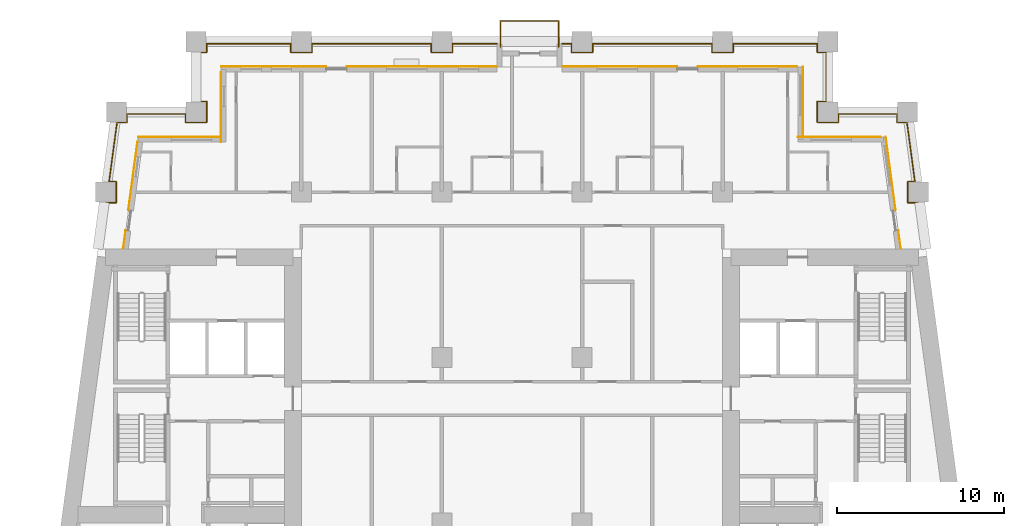
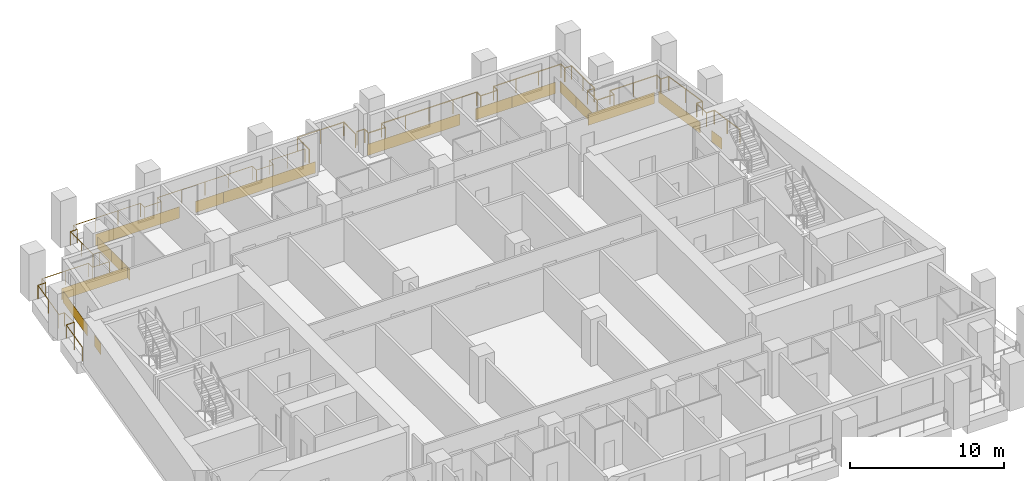
# One storey, part 13 of 14: 16 coverings, 3 railings.
"""IFC4 building model written with IfcOpenShell, lengths in metres."""

from ifc_helpers import new_model, si_unit, direction, frame, origin, origin_2d, place, context, subcontext, project, spatial, rectangle, circle, extrude, material, layer, layer_set, type_object, element, save


model = new_model("IFC4")

# Units and contexts
model_context = context("Model", 3, precision=1e-05, world=origin(), true_north=direction((0.0, 1.0)))
body_context = subcontext(model_context, "Body", "Model", "MODEL_VIEW")
ifc_project = project(units=[si_unit("LENGTHUNIT", "METRE"), si_unit("AREAUNIT", "SQUARE_METRE"), si_unit("VOLUMEUNIT", "CUBIC_METRE"), si_unit("PLANEANGLEUNIT", "RADIAN"), si_unit("MASSUNIT", "GRAM", prefix="KILO")], contexts=[model_context])

# Site, building, storey
site_placement = place(None, origin())
site = spatial("IfcSite", under=ifc_project, at=site_placement, CompositionType="ELEMENT")
building_placement = place(site_placement, origin())
building = spatial("IfcBuilding", under=site, at=building_placement, Name="Candeia Pilgrim Tower and Theatre", CompositionType="ELEMENT")
storey_placement = place(building_placement, frame((0.0, 0.0, 116.89990234375)))
storey = spatial("IfcBuildingStorey", under=building, at=storey_placement, Name="L27", CompositionType="ELEMENT", Elevation=116.89990234375)

# Railings
ifc_material_1 = material(Name="Stainless steel balustrade", Category="steel")
railing_type = type_object("IfcRailingType", Name="G1 loggia guard 1100", PredefinedType="GUARDRAIL", material=ifc_material_1)
railing_1_placement = place(storey_placement, frame((88.758544921875, 132.449951171875, 0.0)))
element("IfcRailing", 1, at=railing_1_placement, inside=storey, type_object=railing_type, Name="Guard L27.2", PredefinedType="GUARDRAIL", context=body_context, shape_type="SweptSolid", body=[
    extrude(circle(Radius=0.02392578125, at=origin_2d()), frame((0.0, 0.0, 1.076171875), z_axis=(0.133433855259, 0.991057720958, 0.0), x_axis=(-0.991057720958, 0.133433855259, 0.0)), (0.0, 0.0, 1.0), 2.74462890625),
    extrude(circle(Radius=0.02392578125, at=origin_2d()), frame((0.3662109375, 2.719970703125, 1.076171875), z_axis=(1.0, 0.0, 0.0), x_axis=(0.0, 1.0, 0.0)), (0.0, 0.0, 1.0), 0.59375),
    extrude(circle(Radius=0.02392578125, at=origin_2d()), frame((0.9599609375, 2.719970703125, 1.076171875), z_axis=(0.0, 1.0, 0.0), x_axis=(-1.0, 0.0, 0.0)), (0.0, 0.0, 1.0), 1.260009765625),
    extrude(circle(Radius=0.02392578125, at=origin_2d()), frame((0.9599609375, 3.97998046875, 1.076171875), z_axis=(-1.0, 0.0, 0.0), x_axis=(0.0, -1.0, 0.0)), (0.0, 0.0, 1.0), 0.424072265625),
    extrude(circle(Radius=0.02392578125, at=origin_2d()), frame((0.535888671875, 3.97998046875, 1.076171875), z_axis=(0.133417176173, 0.991059966451, 0.0), x_axis=(-0.991059966451, 0.133417176173, 0.0)), (0.0, 0.0, 1.0), 3.572021484375),
    extrude(circle(Radius=0.02392578125, at=origin_2d()), frame((1.012451171875, 7.52001953125, 1.076171875), z_axis=(1.0, 0.0, 0.0), x_axis=(0.0, 1.0, 0.0)), (0.0, 0.0, 1.0), 0.593505859375),
    extrude(circle(Radius=0.02392578125, at=origin_2d()), frame((1.60595703125, 7.52001953125, 1.076171875), z_axis=(0.0, 1.0, 0.0), x_axis=(-1.0, 0.0, 0.0)), (0.0, 0.0, 1.0), 0.510009765625),
    extrude(circle(Radius=0.02392578125, at=origin_2d()), frame((1.60595703125, 8.030029296875, 1.076171875), z_axis=(1.0, 0.0, 0.0), x_axis=(0.0, 1.0, 0.0)), (0.0, 0.0, 1.0), 3.505615234375),
    extrude(circle(Radius=0.02392578125, at=origin_2d()), frame((5.111572265625, 8.030029296875, 1.076171875), z_axis=(0.0, -1.0, 0.0), x_axis=(1.0, 0.0, 0.0)), (0.0, 0.0, 1.0), 0.510009765625),
    extrude(circle(Radius=0.02392578125, at=origin_2d()), frame((5.111572265625, 7.52001953125, 1.076171875), z_axis=(1.0, 0.0, 0.0), x_axis=(0.0, 1.0, 0.0)), (0.0, 0.0, 1.0), 1.259765625),
    extrude(circle(Radius=0.02392578125, at=origin_2d()), frame((6.371337890625, 7.52001953125, 1.076171875), z_axis=(0.0, 1.0, 0.0), x_axis=(-1.0, 0.0, 0.0)), (0.0, 0.0, 1.0), 1.260009765625),
    extrude(circle(Radius=0.02392578125, at=origin_2d()), frame((6.371337890625, 8.780029296875, 1.076171875), z_axis=(-1.0, 0.0, 0.0), x_axis=(0.0, -1.0, 0.0)), (0.0, 0.0, 1.0), 0.509765625),
    extrude(circle(Radius=0.02392578125, at=origin_2d()), frame((5.861572265625, 8.780029296875, 1.076171875), z_axis=(0.0, 1.0, 0.0), x_axis=(-1.0, 0.0, 0.0)), (0.0, 0.0, 1.0), 2.93994140625),
    extrude(circle(Radius=0.02392578125, at=origin_2d()), frame((5.861572265625, 11.719970703125, 1.076171875), z_axis=(1.0, 0.0, 0.0), x_axis=(0.0, 1.0, 0.0)), (0.0, 0.0, 1.0), 0.509765625),
    extrude(circle(Radius=0.02392578125, at=origin_2d()), frame((6.371337890625, 11.719970703125, 1.076171875), z_axis=(0.0, 1.0, 0.0), x_axis=(-1.0, 0.0, 0.0)), (0.0, 0.0, 1.0), 0.510009765625),
    extrude(circle(Radius=0.02392578125, at=origin_2d()), frame((6.371337890625, 12.22998046875, 1.076171875), z_axis=(1.0, 0.0, 0.0), x_axis=(0.0, 1.0, 0.0)), (0.0, 0.0, 1.0), 5.0400390625),
    extrude(circle(Radius=0.02392578125, at=origin_2d()), frame((11.411376953125, 12.22998046875, 1.076171875), z_axis=(0.0, -1.0, 0.0), x_axis=(1.0, 0.0, 0.0)), (0.0, 0.0, 1.0), 0.510009765625),
    extrude(circle(Radius=0.02392578125, at=origin_2d()), frame((11.411376953125, 11.719970703125, 1.076171875), z_axis=(1.0, 0.0, 0.0), x_axis=(0.0, 1.0, 0.0)), (0.0, 0.0, 1.0), 1.260009765625),
    extrude(circle(Radius=0.02392578125, at=origin_2d()), frame((12.67138671875, 11.719970703125, 1.076171875), z_axis=(0.0, 1.0, 0.0), x_axis=(-1.0, 0.0, 0.0)), (0.0, 0.0, 1.0), 0.510009765625),
    extrude(circle(Radius=0.02392578125, at=origin_2d()), frame((12.67138671875, 12.22998046875, 1.076171875), z_axis=(1.0, 0.0, 0.0), x_axis=(0.0, 1.0, 0.0)), (0.0, 0.0, 1.0), 7.14013671875),
    extrude(circle(Radius=0.02392578125, at=origin_2d()), frame((19.8115234375, 12.22998046875, 1.076171875), z_axis=(0.0, -1.0, 0.0), x_axis=(1.0, 0.0, 0.0)), (0.0, 0.0, 1.0), 0.510009765625),
    extrude(circle(Radius=0.02392578125, at=origin_2d()), frame((19.8115234375, 11.719970703125, 1.076171875), z_axis=(1.0, 0.0, 0.0), x_axis=(0.0, 1.0, 0.0)), (0.0, 0.0, 1.0), 1.260009765625),
    extrude(circle(Radius=0.02392578125, at=origin_2d()), frame((21.071533203125, 11.719970703125, 1.076171875), z_axis=(0.0, 1.0, 0.0), x_axis=(-1.0, 0.0, 0.0)), (0.0, 0.0, 1.0), 0.510009765625),
    extrude(circle(Radius=0.02392578125, at=origin_2d()), frame((21.071533203125, 12.22998046875, 1.076171875), z_axis=(1.0, 0.0, 0.0), x_axis=(0.0, 1.0, 0.0)), (0.0, 0.0, 1.0), 2.669921875),
    extrude(circle(Radius=0.02099609375, at=origin_2d()), origin(), (0.0, 0.0, 1.0), 1.052001953125),
    extrude(circle(Radius=0.02099609375, at=origin_2d()), frame((0.18310546875, 1.35986328125, 0.0)), (0.0, 0.0, 1.0), 1.052001953125),
    extrude(circle(Radius=0.02099609375, at=origin_2d()), frame((0.3662109375, 2.719970703125, 0.0)), (0.0, 0.0, 1.0), 1.052001953125),
    extrude(circle(Radius=0.02099609375, at=origin_2d()), frame((0.9599609375, 2.719970703125, 0.0)), (0.0, 0.0, 1.0), 1.052001953125),
    extrude(circle(Radius=0.02099609375, at=origin_2d()), frame((0.9599609375, 3.97998046875, 0.0)), (0.0, 0.0, 1.0), 1.052001953125),
    extrude(circle(Radius=0.02099609375, at=origin_2d()), frame((0.535888671875, 3.97998046875, 0.0)), (0.0, 0.0, 1.0), 1.052001953125),
    extrude(circle(Radius=0.02099609375, at=origin_2d()), frame((0.774169921875, 5.75, 0.0)), (0.0, 0.0, 1.0), 1.052001953125),
    extrude(circle(Radius=0.02099609375, at=origin_2d()), frame((1.012451171875, 7.52001953125, 0.0)), (0.0, 0.0, 1.0), 1.052001953125),
    extrude(circle(Radius=0.02099609375, at=origin_2d()), frame((1.60595703125, 7.52001953125, 0.0)), (0.0, 0.0, 1.0), 1.052001953125),
    extrude(circle(Radius=0.02099609375, at=origin_2d()), frame((1.60595703125, 8.030029296875, 0.0)), (0.0, 0.0, 1.0), 1.052001953125),
    extrude(circle(Radius=0.02099609375, at=origin_2d()), frame((3.35888671875, 8.030029296875, 0.0)), (0.0, 0.0, 1.0), 1.052001953125),
    extrude(circle(Radius=0.02099609375, at=origin_2d()), frame((5.111572265625, 8.030029296875, 0.0)), (0.0, 0.0, 1.0), 1.052001953125),
    extrude(circle(Radius=0.02099609375, at=origin_2d()), frame((5.111572265625, 7.52001953125, 0.0)), (0.0, 0.0, 1.0), 1.052001953125),
    extrude(circle(Radius=0.02099609375, at=origin_2d()), frame((6.371337890625, 7.52001953125, 0.0)), (0.0, 0.0, 1.0), 1.052001953125),
    extrude(circle(Radius=0.02099609375, at=origin_2d()), frame((6.371337890625, 8.780029296875, 0.0)), (0.0, 0.0, 1.0), 1.052001953125),
    extrude(circle(Radius=0.02099609375, at=origin_2d()), frame((5.861572265625, 8.780029296875, 0.0)), (0.0, 0.0, 1.0), 1.052001953125),
    extrude(circle(Radius=0.02099609375, at=origin_2d()), frame((5.861572265625, 10.25, 0.0)), (0.0, 0.0, 1.0), 1.052001953125),
    extrude(circle(Radius=0.02099609375, at=origin_2d()), frame((5.861572265625, 11.719970703125, 0.0)), (0.0, 0.0, 1.0), 1.052001953125),
    extrude(circle(Radius=0.02099609375, at=origin_2d()), frame((6.371337890625, 11.719970703125, 0.0)), (0.0, 0.0, 1.0), 1.052001953125),
    extrude(circle(Radius=0.02099609375, at=origin_2d()), frame((6.371337890625, 12.22998046875, 0.0)), (0.0, 0.0, 1.0), 1.052001953125),
    extrude(circle(Radius=0.02099609375, at=origin_2d()), frame((8.05126953125, 12.22998046875, 0.0)), (0.0, 0.0, 1.0), 1.052001953125),
    extrude(circle(Radius=0.02099609375, at=origin_2d()), frame((9.7314453125, 12.22998046875, 0.0)), (0.0, 0.0, 1.0), 1.052001953125),
    extrude(circle(Radius=0.02099609375, at=origin_2d()), frame((11.411376953125, 12.22998046875, 0.0)), (0.0, 0.0, 1.0), 1.052001953125),
    extrude(circle(Radius=0.02099609375, at=origin_2d()), frame((11.411376953125, 11.719970703125, 0.0)), (0.0, 0.0, 1.0), 1.052001953125),
    extrude(circle(Radius=0.02099609375, at=origin_2d()), frame((12.67138671875, 11.719970703125, 0.0)), (0.0, 0.0, 1.0), 1.052001953125),
    extrude(circle(Radius=0.02099609375, at=origin_2d()), frame((12.67138671875, 12.22998046875, 0.0)), (0.0, 0.0, 1.0), 1.052001953125),
    extrude(circle(Radius=0.02099609375, at=origin_2d()), frame((14.45654296875, 12.22998046875, 0.0)), (0.0, 0.0, 1.0), 1.052001953125),
    extrude(circle(Radius=0.02099609375, at=origin_2d()), frame((16.241455078125, 12.22998046875, 0.0)), (0.0, 0.0, 1.0), 1.052001953125),
    extrude(circle(Radius=0.02099609375, at=origin_2d()), frame((18.0263671875, 12.22998046875, 0.0)), (0.0, 0.0, 1.0), 1.052001953125),
    extrude(circle(Radius=0.02099609375, at=origin_2d()), frame((19.8115234375, 12.22998046875, 0.0)), (0.0, 0.0, 1.0), 1.052001953125),
    extrude(circle(Radius=0.02099609375, at=origin_2d()), frame((19.8115234375, 11.719970703125, 0.0)), (0.0, 0.0, 1.0), 1.052001953125),
    extrude(circle(Radius=0.02099609375, at=origin_2d()), frame((21.071533203125, 11.719970703125, 0.0)), (0.0, 0.0, 1.0), 1.052001953125),
    extrude(circle(Radius=0.02099609375, at=origin_2d()), frame((21.071533203125, 12.22998046875, 0.0)), (0.0, 0.0, 1.0), 1.052001953125),
    extrude(circle(Radius=0.02099609375, at=origin_2d()), frame((22.406494140625, 12.22998046875, 0.0)), (0.0, 0.0, 1.0), 1.052001953125),
    extrude(circle(Radius=0.02099609375, at=origin_2d()), frame((23.741455078125, 12.22998046875, 0.0)), (0.0, 0.0, 1.0), 1.052001953125),
])
railing_2_placement = place(storey_placement, frame((116.39990234375, 144.679931640625, 0.0)))
element("IfcRailing", 2, at=railing_2_placement, inside=storey, type_object=railing_type, Name="Guard L27.3", PredefinedType="GUARDRAIL", context=body_context, shape_type="SweptSolid", body=[
    extrude(circle(Radius=0.02392578125, at=origin_2d()), frame((0.0, 0.0, 1.076171875), z_axis=(1.0, 0.0, 0.0), x_axis=(0.0, 1.0, 0.0)), (0.0, 0.0, 1.0), 0.570068359375),
    extrude(circle(Radius=0.02392578125, at=origin_2d()), frame((0.570068359375, 0.0, 1.076171875), z_axis=(0.0, -1.0, 0.0), x_axis=(1.0, 0.0, 0.0)), (0.0, 0.0, 1.0), 0.510009765625),
    extrude(circle(Radius=0.02392578125, at=origin_2d()), frame((0.570068359375, -0.510009765625, 1.076171875), z_axis=(1.0, 0.0, 0.0), x_axis=(0.0, 1.0, 0.0)), (0.0, 0.0, 1.0), 1.260009765625),
    extrude(circle(Radius=0.02392578125, at=origin_2d()), frame((1.830078125, -0.510009765625, 1.076171875), z_axis=(0.0, 1.0, 0.0), x_axis=(-1.0, 0.0, 0.0)), (0.0, 0.0, 1.0), 0.510009765625),
    extrude(circle(Radius=0.02392578125, at=origin_2d()), frame((1.830078125, 0.0, 1.076171875), z_axis=(1.0, 0.0, 0.0), x_axis=(0.0, 1.0, 0.0)), (0.0, 0.0, 1.0), 7.14013671875),
    extrude(circle(Radius=0.02392578125, at=origin_2d()), frame((8.97021484375, 0.0, 1.076171875), z_axis=(0.0, -1.0, 0.0), x_axis=(1.0, 0.0, 0.0)), (0.0, 0.0, 1.0), 0.510009765625),
    extrude(circle(Radius=0.02392578125, at=origin_2d()), frame((8.97021484375, -0.510009765625, 1.076171875), z_axis=(1.0, 0.0, 0.0), x_axis=(0.0, 1.0, 0.0)), (0.0, 0.0, 1.0), 1.259765625),
    extrude(circle(Radius=0.02392578125, at=origin_2d()), frame((10.22998046875, -0.510009765625, 1.076171875), z_axis=(0.0, 1.0, 0.0), x_axis=(-1.0, 0.0, 0.0)), (0.0, 0.0, 1.0), 0.510009765625),
    extrude(circle(Radius=0.02392578125, at=origin_2d()), frame((10.22998046875, 0.0, 1.076171875), z_axis=(1.0, 0.0, 0.0), x_axis=(0.0, 1.0, 0.0)), (0.0, 0.0, 1.0), 5.0400390625),
    extrude(circle(Radius=0.02392578125, at=origin_2d()), frame((15.27001953125, 0.0, 1.076171875), z_axis=(0.0, -1.0, 0.0), x_axis=(1.0, 0.0, 0.0)), (0.0, 0.0, 1.0), 0.510009765625),
    extrude(circle(Radius=0.02392578125, at=origin_2d()), frame((15.27001953125, -0.510009765625, 1.076171875), z_axis=(1.0, 0.0, 0.0), x_axis=(0.0, 1.0, 0.0)), (0.0, 0.0, 1.0), 0.510009765625),
    extrude(circle(Radius=0.02392578125, at=origin_2d()), frame((15.780029296875, -0.510009765625, 1.076171875), z_axis=(0.0, -1.0, 0.0), x_axis=(1.0, 0.0, 0.0)), (0.0, 0.0, 1.0), 2.93994140625),
    extrude(circle(Radius=0.02392578125, at=origin_2d()), frame((15.780029296875, -3.449951171875, 1.076171875), z_axis=(-1.0, 0.0, 0.0), x_axis=(0.0, -1.0, 0.0)), (0.0, 0.0, 1.0), 0.510009765625),
    extrude(circle(Radius=0.02392578125, at=origin_2d()), frame((15.27001953125, -3.449951171875, 1.076171875), z_axis=(0.0, -1.0, 0.0), x_axis=(1.0, 0.0, 0.0)), (0.0, 0.0, 1.0), 1.260009765625),
    extrude(circle(Radius=0.02392578125, at=origin_2d()), frame((15.27001953125, -4.7099609375, 1.076171875), z_axis=(1.0, 0.0, 0.0), x_axis=(0.0, 1.0, 0.0)), (0.0, 0.0, 1.0), 1.260009765625),
    extrude(circle(Radius=0.02392578125, at=origin_2d()), frame((16.530029296875, -4.7099609375, 1.076171875), z_axis=(0.0, 1.0, 0.0), x_axis=(-1.0, 0.0, 0.0)), (0.0, 0.0, 1.0), 0.510009765625),
    extrude(circle(Radius=0.02392578125, at=origin_2d()), frame((16.530029296875, -4.199951171875, 1.076171875), z_axis=(1.0, 0.0, 0.0), x_axis=(0.0, 1.0, 0.0)), (0.0, 0.0, 1.0), 3.50537109375),
    extrude(circle(Radius=0.02392578125, at=origin_2d()), frame((20.035400390625, -4.199951171875, 1.076171875), z_axis=(0.0, -1.0, 0.0), x_axis=(1.0, 0.0, 0.0)), (0.0, 0.0, 1.0), 0.510009765625),
    extrude(circle(Radius=0.02392578125, at=origin_2d()), frame((20.035400390625, -4.7099609375, 1.076171875), z_axis=(1.0, 0.0, 0.0), x_axis=(0.0, 1.0, 0.0)), (0.0, 0.0, 1.0), 0.59375),
    extrude(circle(Radius=0.02392578125, at=origin_2d()), frame((20.629150390625, -4.7099609375, 1.076171875), z_axis=(0.133417176173, -0.991059966451, 0.0), x_axis=(0.991059966451, 0.133417176173, 0.0)), (0.0, 0.0, 1.0), 3.572021484375),
    extrude(circle(Radius=0.02392578125, at=origin_2d()), frame((21.105712890625, -8.25, 1.076171875), z_axis=(-1.0, 0.0, 0.0), x_axis=(0.0, -1.0, 0.0)), (0.0, 0.0, 1.0), 0.424072265625),
    extrude(circle(Radius=0.02392578125, at=origin_2d()), frame((20.681640625, -8.25, 1.076171875), z_axis=(0.0, -1.0, 0.0), x_axis=(1.0, 0.0, 0.0)), (0.0, 0.0, 1.0), 1.260009765625),
    extrude(circle(Radius=0.02392578125, at=origin_2d()), frame((20.681640625, -9.510009765625, 1.076171875), z_axis=(1.0, 0.0, 0.0), x_axis=(0.0, 1.0, 0.0)), (0.0, 0.0, 1.0), 0.59375),
    extrude(circle(Radius=0.02392578125, at=origin_2d()), frame((21.275390625, -9.510009765625, 1.076171875), z_axis=(0.133433855259, -0.991057720958, 0.0), x_axis=(0.991057720958, 0.133433855259, 0.0)), (0.0, 0.0, 1.0), 2.74462890625),
    extrude(circle(Radius=0.02099609375, at=origin_2d()), origin(), (0.0, 0.0, 1.0), 1.052001953125),
    extrude(circle(Radius=0.02099609375, at=origin_2d()), frame((0.570068359375, 0.0, 0.0)), (0.0, 0.0, 1.0), 1.052001953125),
    extrude(circle(Radius=0.02099609375, at=origin_2d()), frame((0.570068359375, -0.510009765625, 0.0)), (0.0, 0.0, 1.0), 1.052001953125),
    extrude(circle(Radius=0.02099609375, at=origin_2d()), frame((1.830078125, -0.510009765625, 0.0)), (0.0, 0.0, 1.0), 1.052001953125),
    extrude(circle(Radius=0.02099609375, at=origin_2d()), frame((1.830078125, 0.0, 0.0)), (0.0, 0.0, 1.0), 1.052001953125),
    extrude(circle(Radius=0.02099609375, at=origin_2d()), frame((3.615234375, 0.0, 0.0)), (0.0, 0.0, 1.0), 1.052001953125),
    extrude(circle(Radius=0.02099609375, at=origin_2d()), frame((5.400146484375, 0.0, 0.0)), (0.0, 0.0, 1.0), 1.052001953125),
    extrude(circle(Radius=0.02099609375, at=origin_2d()), frame((7.18505859375, 0.0, 0.0)), (0.0, 0.0, 1.0), 1.052001953125),
    extrude(circle(Radius=0.02099609375, at=origin_2d()), frame((8.97021484375, 0.0, 0.0)), (0.0, 0.0, 1.0), 1.052001953125),
    extrude(circle(Radius=0.02099609375, at=origin_2d()), frame((8.97021484375, -0.510009765625, 0.0)), (0.0, 0.0, 1.0), 1.052001953125),
    extrude(circle(Radius=0.02099609375, at=origin_2d()), frame((10.22998046875, -0.510009765625, 0.0)), (0.0, 0.0, 1.0), 1.052001953125),
    extrude(circle(Radius=0.02099609375, at=origin_2d()), frame((10.22998046875, 0.0, 0.0)), (0.0, 0.0, 1.0), 1.052001953125),
    extrude(circle(Radius=0.02099609375, at=origin_2d()), frame((11.909912109375, 0.0, 0.0)), (0.0, 0.0, 1.0), 1.052001953125),
    extrude(circle(Radius=0.02099609375, at=origin_2d()), frame((13.590087890625, 0.0, 0.0)), (0.0, 0.0, 1.0), 1.052001953125),
    extrude(circle(Radius=0.02099609375, at=origin_2d()), frame((15.27001953125, 0.0, 0.0)), (0.0, 0.0, 1.0), 1.052001953125),
    extrude(circle(Radius=0.02099609375, at=origin_2d()), frame((15.27001953125, -0.510009765625, 0.0)), (0.0, 0.0, 1.0), 1.052001953125),
    extrude(circle(Radius=0.02099609375, at=origin_2d()), frame((15.780029296875, -0.510009765625, 0.0)), (0.0, 0.0, 1.0), 1.052001953125),
    extrude(circle(Radius=0.02099609375, at=origin_2d()), frame((15.780029296875, -1.97998046875, 0.0)), (0.0, 0.0, 1.0), 1.052001953125),
    extrude(circle(Radius=0.02099609375, at=origin_2d()), frame((15.780029296875, -3.449951171875, 0.0)), (0.0, 0.0, 1.0), 1.052001953125),
    extrude(circle(Radius=0.02099609375, at=origin_2d()), frame((15.27001953125, -3.449951171875, 0.0)), (0.0, 0.0, 1.0), 1.052001953125),
    extrude(circle(Radius=0.02099609375, at=origin_2d()), frame((15.27001953125, -4.7099609375, 0.0)), (0.0, 0.0, 1.0), 1.052001953125),
    extrude(circle(Radius=0.02099609375, at=origin_2d()), frame((16.530029296875, -4.7099609375, 0.0)), (0.0, 0.0, 1.0), 1.052001953125),
    extrude(circle(Radius=0.02099609375, at=origin_2d()), frame((16.530029296875, -4.199951171875, 0.0)), (0.0, 0.0, 1.0), 1.052001953125),
    extrude(circle(Radius=0.02099609375, at=origin_2d()), frame((18.28271484375, -4.199951171875, 0.0)), (0.0, 0.0, 1.0), 1.052001953125),
    extrude(circle(Radius=0.02099609375, at=origin_2d()), frame((20.035400390625, -4.199951171875, 0.0)), (0.0, 0.0, 1.0), 1.052001953125),
    extrude(circle(Radius=0.02099609375, at=origin_2d()), frame((20.035400390625, -4.7099609375, 0.0)), (0.0, 0.0, 1.0), 1.052001953125),
    extrude(circle(Radius=0.02099609375, at=origin_2d()), frame((20.629150390625, -4.7099609375, 0.0)), (0.0, 0.0, 1.0), 1.052001953125),
    extrude(circle(Radius=0.02099609375, at=origin_2d()), frame((20.867431640625, -6.47998046875, 0.0)), (0.0, 0.0, 1.0), 1.052001953125),
    extrude(circle(Radius=0.02099609375, at=origin_2d()), frame((21.105712890625, -8.25, 0.0)), (0.0, 0.0, 1.0), 1.052001953125),
    extrude(circle(Radius=0.02099609375, at=origin_2d()), frame((20.681640625, -8.25, 0.0)), (0.0, 0.0, 1.0), 1.052001953125),
    extrude(circle(Radius=0.02099609375, at=origin_2d()), frame((20.681640625, -9.510009765625, 0.0)), (0.0, 0.0, 1.0), 1.052001953125),
    extrude(circle(Radius=0.02099609375, at=origin_2d()), frame((21.275390625, -9.510009765625, 0.0)), (0.0, 0.0, 1.0), 1.052001953125),
    extrude(circle(Radius=0.02099609375, at=origin_2d()), frame((21.45849609375, -10.8701171875, 0.0)), (0.0, 0.0, 1.0), 1.052001953125),
    extrude(circle(Radius=0.02099609375, at=origin_2d()), frame((21.6416015625, -12.22998046875, 0.0)), (0.0, 0.0, 1.0), 1.052001953125),
])
railing_3_placement = place(storey_placement, frame((112.7099609375, 144.5, 0.0)))
element("IfcRailing", 3, at=railing_3_placement, inside=storey, type_object=railing_type, Name="Balcony guard L27", PredefinedType="GUARDRAIL", context=body_context, shape_type="SweptSolid", body=[
    extrude(circle(Radius=0.02392578125, at=origin_2d()), frame((0.0, 0.0, 1.076171875), z_axis=(0.0, 1.0, 0.0), x_axis=(-1.0, 0.0, 0.0)), (0.0, 0.0, 1.0), 1.5400390625),
    extrude(circle(Radius=0.02392578125, at=origin_2d()), frame((0.0, 1.5400390625, 1.076171875), z_axis=(1.0, 0.0, 0.0), x_axis=(0.0, 1.0, 0.0)), (0.0, 0.0, 1.0), 3.47998046875),
    extrude(circle(Radius=0.02392578125, at=origin_2d()), frame((3.47998046875, 1.5400390625, 1.076171875), z_axis=(0.0, -1.0, 0.0), x_axis=(1.0, 0.0, 0.0)), (0.0, 0.0, 1.0), 1.5400390625),
    extrude(circle(Radius=0.02099609375, at=origin_2d()), origin(), (0.0, 0.0, 1.0), 1.052001953125),
    extrude(circle(Radius=0.02099609375, at=origin_2d()), frame((0.0, 1.5400390625, 0.0)), (0.0, 0.0, 1.0), 1.052001953125),
    extrude(circle(Radius=0.02099609375, at=origin_2d()), frame((1.739990234375, 1.5400390625, 0.0)), (0.0, 0.0, 1.0), 1.052001953125),
    extrude(circle(Radius=0.02099609375, at=origin_2d()), frame((3.47998046875, 1.5400390625, 0.0)), (0.0, 0.0, 1.0), 1.052001953125),
    extrude(circle(Radius=0.02099609375, at=origin_2d()), frame((3.47998046875, 0.0, 0.0)), (0.0, 0.0, 1.0), 1.052001953125),
])

# Coverings
ifc_material_2 = material(Name="Glazed ceramic tile red")
ifc_layer_1 = layer(ifc_material_2, 0.02001953125)
ifc_layer_set_1 = layer_set([ifc_layer_1], Name="Glazed ceramic tile red")
covering_type_1 = type_object("IfcCoveringType", Name="Glazed ceramic tile red", PredefinedType="CLADDING", material=ifc_layer_set_1)
covering_1_placement = place(storey_placement, frame((132.976318359375, 139.110107421875, 0.000244140625), z_axis=(0.0, 0.0, 1.0), x_axis=(-1.0, 0.0, 0.0)))
element("IfcCovering", 4, at=covering_1_placement, inside=storey, type_object=covering_type_1, Name="Tile cladding red L27", PredefinedType="CLADDING", context=body_context, shape_type="SweptSolid", body=[
    extrude(rectangle(XDim=4.95263671875, YDim=0.02001953125, at=origin_2d()), origin(), (0.0, 0.0, 1.0), 0.89990234375),
])
covering_2_placement = place(storey_placement, frame((130.81005859375, 142.25, 0.000244140625), z_axis=(0.0, 0.0, 1.0), x_axis=(0.0, 1.0, 0.0)))
element("IfcCovering", 5, at=covering_2_placement, inside=storey, type_object=covering_type_1, Name="Tile cladding red L27", PredefinedType="CLADDING", context=body_context, shape_type="SweptSolid", body=[
    extrude(rectangle(XDim=2.10009765625, YDim=0.02001953125, at=origin_2d()), origin(), (0.0, 0.0, 1.0), 0.89990234375),
])
covering_3_placement = place(storey_placement, frame((128.840087890625, 143.31005859375, 0.000244140625), z_axis=(0.0, 0.0, 1.0), x_axis=(-1.0, 0.0, 0.0)))
element("IfcCovering", 6, at=covering_3_placement, inside=storey, type_object=covering_type_1, Name="Tile cladding red L27", PredefinedType="CLADDING", context=body_context, shape_type="SweptSolid", body=[
    extrude(rectangle(XDim=3.280029296875, YDim=0.02001953125, at=origin_2d()), origin(), (0.0, 0.0, 1.0), 0.89990234375),
])
covering_4_placement = place(storey_placement, frame((104.550048828125, 143.31005859375, 0.000244140625), z_axis=(0.0, 0.0, 1.0), x_axis=(-1.0, 0.0, 0.0)))
element("IfcCovering", 7, at=covering_4_placement, inside=storey, type_object=covering_type_1, Name="Tile cladding red L27", PredefinedType="CLADDING", context=body_context, shape_type="SweptSolid", body=[
    extrude(rectangle(XDim=2.10009765625, YDim=0.02001953125, at=origin_2d()), origin(), (0.0, 0.0, 1.0), 0.89990234375),
])
covering_5_placement = place(storey_placement, frame((99.14990234375, 143.31005859375, 0.000244140625), z_axis=(0.0, 0.0, 1.0), x_axis=(-1.0, 0.0, 0.0)))
element("IfcCovering", 8, at=covering_5_placement, inside=storey, type_object=covering_type_1, Name="Tile cladding red L27", PredefinedType="CLADDING", context=body_context, shape_type="SweptSolid", body=[
    extrude(rectangle(XDim=6.300048828125, YDim=0.02001953125, at=origin_2d()), origin(), (0.0, 0.0, 1.0), 0.89990234375),
])
covering_6_placement = place(storey_placement, frame((95.989990234375, 142.090087890625, 0.000244140625), z_axis=(0.0, 0.0, 1.0), x_axis=(0.0, -1.0, 0.0)))
element("IfcCovering", 9, at=covering_6_placement, inside=storey, type_object=covering_type_1, Name="Tile cladding red L27", PredefinedType="CLADDING", context=body_context, shape_type="SweptSolid", body=[
    extrude(rectangle(XDim=1.780029296875, YDim=0.02001953125, at=origin_2d()), origin(), (0.0, 0.0, 1.0), 0.89990234375),
])
covering_7_placement = place(storey_placement, frame((93.51318359375, 139.110107421875, 0.000244140625), z_axis=(0.0, 0.0, 1.0), x_axis=(-1.0, 0.0, 0.0)))
element("IfcCovering", 10, at=covering_7_placement, inside=storey, type_object=covering_type_1, Name="Tile cladding red L27", PredefinedType="CLADDING", context=body_context, shape_type="SweptSolid", body=[
    extrude(rectangle(XDim=4.933837890625, YDim=0.02001953125, at=origin_2d()), origin(), (0.0, 0.0, 1.0), 0.89990234375),
])
ifc_material_3 = material(Name="Glazed ceramic tile rust")
ifc_layer_2 = layer(ifc_material_3, 0.02001953125)
ifc_layer_set_2 = layer_set([ifc_layer_2], Name="Glazed ceramic tile rust")
covering_type_2 = type_object("IfcCoveringType", Name="Glazed ceramic tile rust", PredefinedType="CLADDING", material=ifc_layer_set_2)
covering_8_placement = place(storey_placement, frame((136.588623046875, 132.97412109375, 0.000244140625), z_axis=(0.0, 0.0, 1.0), x_axis=(-0.133412012145, 0.991060661622, 0.0)))
element("IfcCovering", 11, at=covering_8_placement, inside=storey, type_object=covering_type_2, Name="Tile cladding rust L27", PredefinedType="CLADDING", context=body_context, shape_type="SweptSolid", body=[
    extrude(rectangle(XDim=1.115234375, YDim=0.02001953125, at=origin_2d()), origin(), (0.0, 0.0, 1.0), 0.89990234375),
])
covering_9_placement = place(storey_placement, frame((136.058837890625, 136.90869140625, 0.000244140625), z_axis=(0.0, 0.0, 1.0), x_axis=(-0.133412012145, 0.991060661622, 0.0)))
element("IfcCovering", 12, at=covering_9_placement, inside=storey, type_object=covering_type_2, Name="Tile cladding rust L27", PredefinedType="CLADDING", context=body_context, shape_type="SweptSolid", body=[
    extrude(rectangle(XDim=4.4248046875, YDim=0.02001953125, at=origin_2d()), origin(), (0.0, 0.0, 1.0), 0.89990234375),
])
covering_10_placement = place(storey_placement, frame((130.81005859375, 140.159912109375, 0.000244140625), z_axis=(0.0, 0.0, 1.0), x_axis=(0.0, 1.0, 0.0)))
element("IfcCovering", 13, at=covering_10_placement, inside=storey, type_object=covering_type_2, Name="Tile cladding rust L27", PredefinedType="CLADDING", context=body_context, shape_type="SweptSolid", body=[
    extrude(rectangle(XDim=2.080078125, YDim=0.02001953125, at=origin_2d()), origin(), (0.0, 0.0, 1.0), 0.89990234375),
])
covering_11_placement = place(storey_placement, frame((125.85009765625, 143.31005859375, 0.000244140625), z_axis=(0.0, 0.0, 1.0), x_axis=(-1.0, 0.0, 0.0)))
element("IfcCovering", 14, at=covering_11_placement, inside=storey, type_object=covering_type_2, Name="Tile cladding rust L27", PredefinedType="CLADDING", context=body_context, shape_type="SweptSolid", body=[
    extrude(rectangle(XDim=2.699951171875, YDim=0.02001953125, at=origin_2d()), origin(), (0.0, 0.0, 1.0), 0.89990234375),
])
for number, where, z_axis, x_axis, name in (
    (15, (119.85009765625, 143.31005859375, 0.000244140625), (0.0, 0.0, 1.0), (-1.0, 0.0, 0.0), "Tile cladding rust L27"),
    (16, (109.050048828125, 143.31005859375, 0.000244140625), (0.0, 0.0, 1.0), (-1.0, 0.0, 0.0), "Tile cladding rust L27"),
):
    element("IfcCovering", number, at=place(storey_placement, frame(where, z_axis=z_axis, x_axis=x_axis)), inside=storey, type_object=covering_type_2, Name=name, PredefinedType="CLADDING", context=body_context, shape_type="SweptSolid", body=[
        extrude(rectangle(XDim=6.89990234375, YDim=0.02001953125, at=origin_2d()), origin(), (0.0, 0.0, 1.0), 0.89990234375),
    ])
covering_12_placement = place(storey_placement, frame((95.989990234375, 140.0, 0.000244140625), z_axis=(0.0, 0.0, 1.0), x_axis=(0.0, -1.0, 0.0)))
element("IfcCovering", 17, at=covering_12_placement, inside=storey, type_object=covering_type_2, Name="Tile cladding rust L27", PredefinedType="CLADDING", context=body_context, shape_type="SweptSolid", body=[
    extrude(rectangle(XDim=2.39990234375, YDim=0.02001953125, at=origin_2d()), origin(), (0.0, 0.0, 1.0), 0.89990234375),
])
covering_13_placement = place(storey_placement, frame((90.720947265625, 136.759521484375, 0.000244140625), z_axis=(0.0, 0.0, 1.0), x_axis=(-0.133412012145, -0.991060661622, 0.0)))
element("IfcCovering", 18, at=covering_13_placement, inside=storey, type_object=covering_type_2, Name="Tile cladding rust L27", PredefinedType="CLADDING", context=body_context, shape_type="SweptSolid", body=[
    extrude(rectangle(XDim=4.123779296875, YDim=0.02001953125, at=origin_2d()), origin(), (0.0, 0.0, 1.0), 0.89990234375),
])
covering_14_placement = place(storey_placement, frame((90.21142578125, 132.97412109375, 0.000244140625), z_axis=(0.0, 0.0, 1.0), x_axis=(-0.133412012145, -0.991060661622, 0.0)))
element("IfcCovering", 19, at=covering_14_placement, inside=storey, type_object=covering_type_2, Name="Tile cladding rust L27", PredefinedType="CLADDING", context=body_context, shape_type="SweptSolid", body=[
    extrude(rectangle(XDim=1.115234375, YDim=0.02001953125, at=origin_2d()), origin(), (0.0, 0.0, 1.0), 0.89990234375),
])

save(model, "model.ifc")
